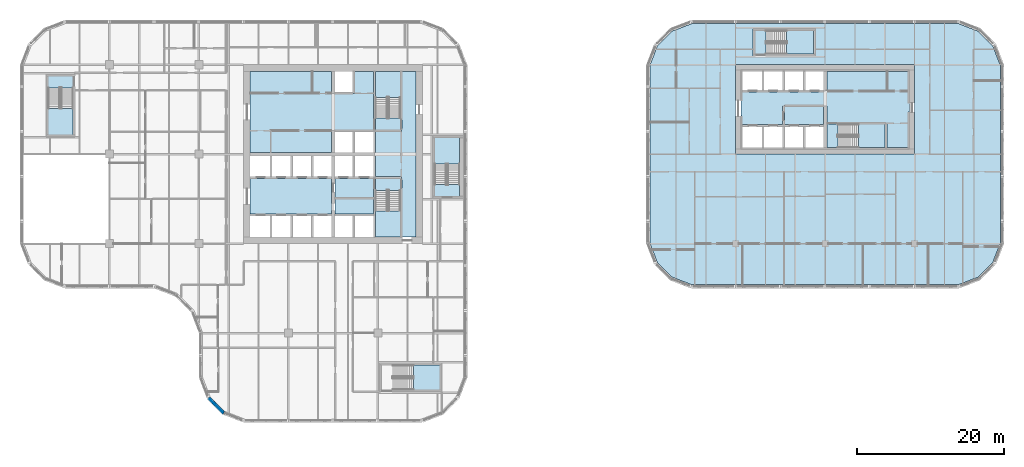
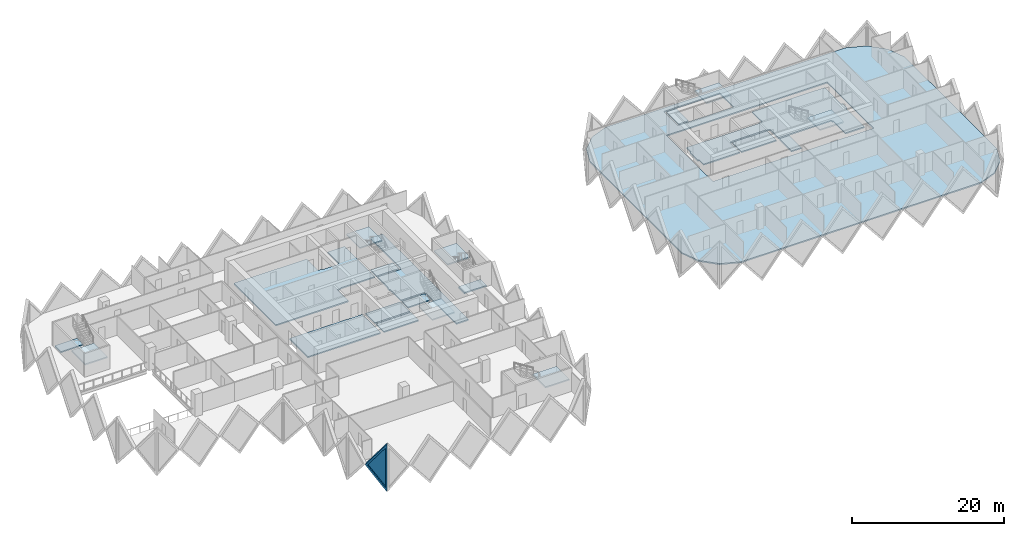
# One storey, part 3 of 19: 21 slabs, 1 plate, 1 wall, 1 opening, 7 elements without a shape of their own.
"""IFC4 building model written with IfcOpenShell, lengths in metres."""

from ifc_helpers import new_model, si_unit, direction, frame, origin, place, context, subcontext, project, spatial, polyline, outline, extrude, faceted_brep, source, transform, mapped, material, layer, layer_set, type_object, element, fill, aggregate, save


model = new_model("IFC4")

# Units and contexts
model_context = context("Model", 3, precision=1e-05, world=origin(), true_north=direction((0.0, 1.0)))
body_context = subcontext(model_context, "Body", "Model", "MODEL_VIEW")
ifc_project = project(units=[si_unit("LENGTHUNIT", "METRE"), si_unit("AREAUNIT", "SQUARE_METRE"), si_unit("VOLUMEUNIT", "CUBIC_METRE"), si_unit("PLANEANGLEUNIT", "RADIAN"), si_unit("MASSUNIT", "GRAM", prefix="KILO")], contexts=[model_context])

# Site, building, storey
site_placement = place(None, origin())
site = spatial("IfcSite", under=ifc_project, at=site_placement, CompositionType="ELEMENT")
building_placement = place(site_placement, origin())
building = spatial("IfcBuilding", under=site, at=building_placement, Name="Tessera Gate Towers", CompositionType="ELEMENT")
storey_placement = place(building_placement, frame((0.0, 0.0, 29.60009765625)))
storey = spatial("IfcBuildingStorey", under=building, at=storey_placement, Name="L06", CompositionType="ELEMENT", Elevation=29.60009765625)

# Slabs
ifc_material_1 = material(Name="Concrete C35/45", Category="concrete")
ifc_layer_1 = layer(ifc_material_1, 0.199951171875)
ifc_layer_set_1 = layer_set([ifc_layer_1], Name="COMPOSITE FLOOR 200")
slab_type_1 = type_object("IfcSlabType", Name="COMPOSITE FLOOR 200", PredefinedType="FLOOR", material=ifc_layer_set_1)
slab_1_placement = place(storey_placement, frame((0.0, 0.0, -0.2001953125)))
element("IfcSlab", 1, at=slab_1_placement, inside=storey, type_object=slab_type_1, Name="T2-L06", PredefinedType="FLOOR", context=body_context, shape_type="SweptSolid", body=[
    extrude(outline(polyline([(85.89990234375, 24.4931640625), (86.926025390625, 21.8330078125), (88.93310546875, 19.826171875), (91.593017578125, 18.800048828125), (128.0068359375, 18.800048828125), (130.6669921875, 19.826171875), (132.673828125, 21.8330078125), (133.699951171875, 24.4931640625), (133.699951171875, 48.706787109375), (132.673828125, 51.366943359375), (130.6669921875, 53.373779296875), (128.0068359375, 54.39990234375), (91.593017578125, 54.39990234375), (88.93310546875, 53.373779296875), (86.926025390625, 51.366943359375), (85.89990234375, 48.706787109375), (85.89990234375, 24.4931640625)]), holes=[polyline([(97.60009765625, 36.60009765625), (97.60009765625, 48.800048828125), (122.0, 48.800048828125), (122.0, 36.60009765625), (97.60009765625, 36.60009765625)]), polyline([(100.0, 50.0), (100.0, 53.699951171875), (108.5, 53.699951171875), (108.5, 50.0), (100.0, 50.0)])]), origin(), (0.0, 0.0, 1.0), 0.2001953125),
])
ifc_material_2 = material(Name="Concrete C35/45", Category="concrete")
ifc_layer_2 = layer(ifc_material_2, 0.199951171875)
ifc_layer_set_2 = layer_set([ifc_layer_2], Name="CORE FLOOR SLAB 200")
slab_type_2 = type_object("IfcSlabType", Name="CORE FLOOR SLAB 200", PredefinedType="FLOOR", material=ifc_layer_set_2)
slab_2_placement = place(storey_placement, frame((0.0, 0.0, -0.2001953125)))
element("IfcSlab", 2, at=slab_2_placement, inside=storey, type_object=slab_type_2, Name="L06 core floor slab", PredefinedType="FLOOR", context=body_context, shape_type="SweptSolid", body=[
    extrude(outline(polyline([(31.39990234375, 47.89990234375), (31.39990234375, 36.85009765625), (42.449951171875, 36.85009765625), (42.449951171875, 39.800048828125), (42.949951171875, 39.800048828125), (42.949951171875, 39.925048828125), (48.22509765625, 39.925048828125), (48.22509765625, 47.89990234375), (45.64990234375, 47.89990234375), (45.64990234375, 44.89990234375), (45.39990234375, 44.89990234375), (45.39990234375, 44.77490234375), (42.949951171875, 44.77490234375), (42.949951171875, 44.89990234375), (42.449951171875, 44.89990234375), (42.449951171875, 47.89990234375), (31.39990234375, 47.89990234375)])), origin(), (0.0, 0.0, 1.0), 0.2001953125),
])
slab_3_placement = place(storey_placement, frame((0.0, 0.0, -0.2001953125)))
element("IfcSlab", 3, at=slab_3_placement, inside=storey, type_object=slab_type_2, Name="L06 core floor slab", PredefinedType="FLOOR", context=body_context, shape_type="SweptSolid", body=[
    extrude(outline(polyline([(48.35009765625, 36.85009765625), (48.35009765625, 36.35009765625), (48.47509765625, 36.35009765625), (48.47509765625, 33.52490234375), (52.0, 33.52490234375), (52.0, 33.27490234375), (52.125, 33.27490234375), (52.125, 25.300048828125), (54.0, 25.300048828125), (54.0, 47.89990234375), (52.125, 47.89990234375), (52.125, 39.925048828125), (52.0, 39.925048828125), (52.0, 39.675048828125), (48.47509765625, 39.675048828125), (48.47509765625, 36.85009765625), (48.35009765625, 36.85009765625)])), origin(), (0.0, 0.0, 1.0), 0.2001953125),
])
slab_4_placement = place(storey_placement, frame((0.0, 0.0, -0.2001953125)))
element("IfcSlab", 4, at=slab_4_placement, inside=storey, type_object=slab_type_2, Name="L06 core floor slab", PredefinedType="FLOOR", context=body_context, shape_type="SweptSolid", body=[
    extrude(outline(polyline([(42.449951171875, 28.425048828125), (42.449951171875, 33.27490234375), (31.39990234375, 33.27490234375), (31.39990234375, 28.425048828125), (42.449951171875, 28.425048828125)])), origin(), (0.0, 0.0, 1.0), 0.2001953125),
])
slab_5_placement = place(storey_placement, frame((0.0, 0.0, -0.2001953125)))
element("IfcSlab", 5, at=slab_5_placement, inside=storey, type_object=slab_type_2, Name="L06 core floor slab", PredefinedType="FLOOR", context=body_context, shape_type="SweptSolid", body=[
    extrude(outline(polyline([(42.949951171875, 33.27490234375), (42.949951171875, 30.72509765625), (48.22509765625, 30.72509765625), (48.22509765625, 33.27490234375), (42.949951171875, 33.27490234375)])), origin(), (0.0, 0.0, 1.0), 0.2001953125),
])
slab_6_placement = place(storey_placement, frame((0.0, 0.0, -0.2001953125)))
element("IfcSlab", 6, at=slab_6_placement, inside=storey, type_object=slab_type_2, Name="L06 core floor slab", PredefinedType="FLOOR", context=body_context, shape_type="SweptSolid", body=[
    extrude(outline(polyline([(42.949951171875, 30.47509765625), (42.949951171875, 28.425048828125), (48.22509765625, 28.425048828125), (48.22509765625, 30.47509765625), (42.949951171875, 30.47509765625)])), origin(), (0.0, 0.0, 1.0), 0.2001953125),
])
slab_7_placement = place(storey_placement, frame((0.0, 0.0, -0.2001953125)))
element("IfcSlab", 7, at=slab_7_placement, inside=storey, type_object=slab_type_2, Name="L06 core floor slab", PredefinedType="FLOOR", context=body_context, shape_type="SweptSolid", body=[
    extrude(outline(polyline([(51.875, 31.675048828125), (51.875, 33.27490234375), (48.47509765625, 33.27490234375), (48.47509765625, 31.675048828125), (51.875, 31.675048828125)])), origin(), (0.0, 0.0, 1.0), 0.2001953125),
])
slab_8_placement = place(storey_placement, frame((0.0, 0.0, -0.2001953125)))
element("IfcSlab", 8, at=slab_8_placement, inside=storey, type_object=slab_type_2, Name="L06 core floor slab", PredefinedType="FLOOR", context=body_context, shape_type="SweptSolid", body=[
    extrude(outline(polyline([(48.47509765625, 41.52490234375), (48.47509765625, 39.925048828125), (51.875, 39.925048828125), (51.875, 41.52490234375), (48.47509765625, 41.52490234375)])), origin(), (0.0, 0.0, 1.0), 0.2001953125),
])
slab_9_placement = place(storey_placement, frame((0.0, 0.0, -0.2001953125)))
element("IfcSlab", 9, at=slab_9_placement, inside=storey, type_object=slab_type_2, Name="L06 ST3 floor landing", PredefinedType="FLOOR", context=body_context, shape_type="SweptSolid", body=[
    extrude(outline(polyline([(3.85009765625, 47.25), (3.85009765625, 45.64990234375), (7.25, 45.64990234375), (7.25, 47.25), (3.85009765625, 47.25)])), origin(), (0.0, 0.0, 1.0), 0.2001953125),
])
slab_10_placement = place(storey_placement, frame((0.0, 0.0, -0.2001953125)))
element("IfcSlab", 10, at=slab_10_placement, inside=storey, type_object=slab_type_2, Name="L06 ST5 floor landing", PredefinedType="FLOOR", context=body_context, shape_type="SweptSolid", body=[
    extrude(outline(polyline([(59.949951171875, 30.85009765625), (59.949951171875, 32.449951171875), (56.550048828125, 32.449951171875), (56.550048828125, 30.85009765625), (59.949951171875, 30.85009765625)])), origin(), (0.0, 0.0, 1.0), 0.2001953125),
])
slab_11_placement = place(storey_placement, frame((0.0, 0.0, -0.2001953125)))
element("IfcSlab", 11, at=slab_11_placement, inside=storey, type_object=slab_type_2, Name="L06 core floor slab", PredefinedType="FLOOR", context=body_context, shape_type="SweptSolid", body=[
    extrude(outline(polyline([(109.550048828125, 45.199951171875), (109.550048828125, 45.074951171875), (98.5, 45.074951171875), (98.5, 43.89990234375), (98.300048828125, 43.89990234375), (98.300048828125, 41.800048828125), (98.5, 41.800048828125), (98.5, 40.625), (104.02490234375, 40.625), (104.02490234375, 43.199951171875), (104.27490234375, 43.199951171875), (104.27490234375, 43.324951171875), (109.550048828125, 43.324951171875), (109.550048828125, 43.199951171875), (110.050048828125, 43.199951171875), (110.050048828125, 40.949951171875), (118.10009765625, 40.949951171875), (118.10009765625, 40.699951171875), (118.22509765625, 40.699951171875), (118.22509765625, 37.5), (121.10009765625, 37.5), (121.10009765625, 42.35009765625), (121.300048828125, 42.35009765625), (121.300048828125, 43.550048828125), (121.10009765625, 43.550048828125), (121.10009765625, 47.89990234375), (110.050048828125, 47.89990234375), (110.050048828125, 45.199951171875), (109.550048828125, 45.199951171875)])), origin(), (0.0, 0.0, 1.0), 0.2001953125),
])
slab_12_placement = place(storey_placement, frame((0.0, 0.0, -0.2001953125)))
element("IfcSlab", 12, at=slab_12_placement, inside=storey, type_object=slab_type_2, Name="L06 core floor slab", PredefinedType="FLOOR", context=body_context, shape_type="SweptSolid", body=[
    extrude(outline(polyline([(109.550048828125, 43.074951171875), (104.27490234375, 43.074951171875), (104.27490234375, 40.625), (109.550048828125, 40.625), (109.550048828125, 43.074951171875)])), origin(), (0.0, 0.0, 1.0), 0.2001953125),
])
slab_13_placement = place(storey_placement, frame((0.0, 0.0, -0.2001953125)))
element("IfcSlab", 13, at=slab_13_placement, inside=storey, type_object=slab_type_2, Name="L06 core floor slab", PredefinedType="FLOOR", context=body_context, shape_type="SweptSolid", body=[
    extrude(outline(polyline([(111.550048828125, 37.5), (111.550048828125, 40.699951171875), (110.050048828125, 40.699951171875), (110.050048828125, 37.5), (111.550048828125, 37.5)])), origin(), (0.0, 0.0, 1.0), 0.2001953125),
])
slab_14_placement = place(storey_placement, frame((0.0, 0.0, -0.2001953125)))
element("IfcSlab", 14, at=slab_14_placement, inside=storey, type_object=slab_type_2, Name="L06 ST7 floor landing", PredefinedType="FLOOR", context=body_context, shape_type="SweptSolid", body=[
    extrude(outline(polyline([(100.25, 50.25), (101.75, 50.25), (101.75, 53.449951171875), (100.25, 53.449951171875), (100.25, 50.25)])), origin(), (0.0, 0.0, 1.0), 0.2001953125),
])

# Stair, slab
ifc_material_3 = material(Name="Concrete C40/50", Category="concrete")
stair_type_1 = type_object("IfcStairType", Name="EXIT STAIR ST1 1600", PredefinedType="HALF_TURN_STAIR", material=ifc_material_3)
stair_1_placement = place(storey_placement, origin())
stair_1 = element("IfcStair", 15, at=stair_1_placement, inside=storey, type_object=stair_type_1, Name="L06 Protected Exit Stair ST1", PredefinedType="HALF_TURN_STAIR")
ifc_material_4 = material(Name="Concrete C40/50", Category="concrete")
ifc_layer_3 = layer(ifc_material_4, 0.199951171875)
ifc_layer_set_3 = layer_set([ifc_layer_3], Name="EXIT STAIR LANDING 200")
slab_type_3 = type_object("IfcSlabType", Name="EXIT STAIR LANDING 200", PredefinedType="LANDING", material=ifc_layer_set_3)
slab_15_placement = place(storey_placement, frame((0.0, 0.0, 1.699951171875)))
slab_15 = element("IfcSlab", 16, at=slab_15_placement, type_object=slab_type_3, Name="ST1 landing 1", PredefinedType="LANDING", context=body_context, shape_type="SweptSolid", body=[
    extrude(outline(polyline([(48.47509765625, 28.875), (48.47509765625, 25.300048828125), (51.875, 25.300048828125), (51.875, 28.875), (48.47509765625, 28.875)])), origin(), (0.0, 0.0, 1.0), 0.199951171875),
])
aggregate(stair_1, [slab_15])

ifc_material_5 = material(Name="Concrete C40/50", Category="concrete")
stair_type_2 = type_object("IfcStairType", Name="EXIT STAIR ST2 1600", PredefinedType="HALF_TURN_STAIR", material=ifc_material_5)
stair_2_placement = place(storey_placement, origin())
stair_2 = element("IfcStair", 17, at=stair_2_placement, inside=storey, type_object=stair_type_2, Name="L06 Protected Exit Stair ST2", PredefinedType="HALF_TURN_STAIR")
slab_16_placement = place(storey_placement, frame((0.0, 0.0, 1.699951171875)))
slab_16 = element("IfcSlab", 18, at=slab_16_placement, type_object=slab_type_3, Name="ST2 landing 1", PredefinedType="LANDING", context=body_context, shape_type="SweptSolid", body=[
    extrude(outline(polyline([(51.875, 44.324951171875), (51.875, 47.89990234375), (48.47509765625, 47.89990234375), (48.47509765625, 44.324951171875), (51.875, 44.324951171875)])), origin(), (0.0, 0.0, 1.0), 0.199951171875),
])
aggregate(stair_2, [slab_16])

ifc_material_6 = material(Name="Concrete C40/50", Category="concrete")
stair_type_3 = type_object("IfcStairType", Name="EXIT STAIR ST3 1600", PredefinedType="HALF_TURN_STAIR", material=ifc_material_6)
stair_3_placement = place(storey_placement, origin())
stair_3 = element("IfcStair", 19, at=stair_3_placement, inside=storey, type_object=stair_type_3, Name="L06 West Exit Stair ST3", PredefinedType="HALF_TURN_STAIR")
slab_17_placement = place(storey_placement, frame((0.0, 0.0, 1.699951171875)))
slab_17 = element("IfcSlab", 20, at=slab_17_placement, type_object=slab_type_3, Name="ST3 landing 1", PredefinedType="LANDING", context=body_context, shape_type="SweptSolid", body=[
    extrude(outline(polyline([(3.85009765625, 42.85009765625), (3.85009765625, 39.25), (7.25, 39.25), (7.25, 42.85009765625), (3.85009765625, 42.85009765625)])), origin(), (0.0, 0.0, 1.0), 0.199951171875),
])
aggregate(stair_3, [slab_17])

ifc_material_7 = material(Name="Concrete C40/50", Category="concrete")
stair_type_4 = type_object("IfcStairType", Name="EXIT STAIR ST4 1600", PredefinedType="HALF_TURN_STAIR", material=ifc_material_7)
stair_4_placement = place(storey_placement, origin())
stair_4 = element("IfcStair", 21, at=stair_4_placement, inside=storey, type_object=stair_type_4, Name="L06 South Exit Stair ST4", PredefinedType="HALF_TURN_STAIR")
slab_18_placement = place(storey_placement, frame((0.0, 0.0, 1.699951171875)))
slab_18 = element("IfcSlab", 22, at=slab_18_placement, type_object=slab_type_3, Name="ST4 landing 1", PredefinedType="LANDING", context=body_context, shape_type="SweptSolid", body=[
    extrude(outline(polyline([(53.64990234375, 4.449951171875), (57.25, 4.449951171875), (57.25, 7.85009765625), (53.64990234375, 7.85009765625), (53.64990234375, 4.449951171875)])), origin(), (0.0, 0.0, 1.0), 0.199951171875),
])
aggregate(stair_4, [slab_18])

ifc_material_8 = material(Name="Concrete C40/50", Category="concrete")
stair_type_5 = type_object("IfcStairType", Name="EXIT STAIR ST5 1600", PredefinedType="HALF_TURN_STAIR", material=ifc_material_8)
stair_5_placement = place(storey_placement, origin())
stair_5 = element("IfcStair", 23, at=stair_5_placement, inside=storey, type_object=stair_type_5, Name="L06 East Exit Stair ST5", PredefinedType="HALF_TURN_STAIR")
slab_19_placement = place(storey_placement, frame((0.0, 0.0, 1.699951171875)))
slab_19 = element("IfcSlab", 24, at=slab_19_placement, type_object=slab_type_3, Name="ST5 landing 1", PredefinedType="LANDING", context=body_context, shape_type="SweptSolid", body=[
    extrude(outline(polyline([(59.949951171875, 35.25), (59.949951171875, 38.85009765625), (56.550048828125, 38.85009765625), (56.550048828125, 35.25), (59.949951171875, 35.25)])), origin(), (0.0, 0.0, 1.0), 0.199951171875),
])
aggregate(stair_5, [slab_19])

ifc_material_9 = material(Name="Concrete C40/50", Category="concrete")
stair_type_6 = type_object("IfcStairType", Name="EXIT STAIR ST6 1500", PredefinedType="HALF_TURN_STAIR", material=ifc_material_9)
stair_6_placement = place(storey_placement, origin())
stair_6 = element("IfcStair", 25, at=stair_6_placement, inside=storey, type_object=stair_type_6, Name="L06 Protected Exit Stair ST6", PredefinedType="HALF_TURN_STAIR")
slab_20_placement = place(storey_placement, frame((0.0, 0.0, 1.699951171875)))
slab_20 = element("IfcSlab", 26, at=slab_20_placement, type_object=slab_type_3, Name="ST6 landing 1", PredefinedType="LANDING", context=body_context, shape_type="SweptSolid", body=[
    extrude(outline(polyline([(114.35009765625, 37.5), (117.97509765625, 37.5), (117.97509765625, 40.699951171875), (114.35009765625, 40.699951171875), (114.35009765625, 37.5)])), origin(), (0.0, 0.0, 1.0), 0.199951171875),
])
aggregate(stair_6, [slab_20])

ifc_material_10 = material(Name="Concrete C40/50", Category="concrete")
stair_type_7 = type_object("IfcStairType", Name="EXIT STAIR ST7 1500", PredefinedType="HALF_TURN_STAIR", material=ifc_material_10)
stair_7_placement = place(storey_placement, origin())
stair_7 = element("IfcStair", 27, at=stair_7_placement, inside=storey, type_object=stair_type_7, Name="L06 North Exit Stair ST7", PredefinedType="HALF_TURN_STAIR")
slab_21_placement = place(storey_placement, frame((0.0, 0.0, 1.699951171875)))
slab_21 = element("IfcSlab", 28, at=slab_21_placement, type_object=slab_type_3, Name="ST7 landing 1", PredefinedType="LANDING", context=body_context, shape_type="SweptSolid", body=[
    extrude(outline(polyline([(104.550048828125, 50.25), (108.25, 50.25), (108.25, 53.449951171875), (104.550048828125, 53.449951171875), (104.550048828125, 50.25)])), origin(), (0.0, 0.0, 1.0), 0.199951171875),
])
aggregate(stair_7, [slab_21])

# Wall, opening, plate
ifc_material_11 = material(Name="Precast concrete C60/75 white", Category="concrete")
ifc_layer_4 = layer(ifc_material_11, 0.5)
ifc_layer_set_4 = layer_set([ifc_layer_4], Name="TS3 corner tessera")
wall_type = type_object("IfcWallType", Name="TS3 corner tessera", PredefinedType="SOLIDWALL", material=ifc_layer_set_4)
shared_shape_1 = source(origin(), body_context, "Body", "Brep", [
    faceted_brep([(2.944091796875, -0.25, 0.0), (2.9970703125, -0.25, 0.068115234375), (2.9970703125, -0.25, 7.53173828125), (2.944091796875, -0.25, 7.599853515625), (0.0, -0.25, 3.800048828125), (0.052978515625, 0.25, 3.868408203125), (2.89111328125, 0.25, 7.53173828125), (2.89111328125, 0.25, 0.068115234375), (0.052978515625, 0.25, 3.731689453125), (2.944091796875, 0.000244140625, 0.0), (2.944091796875, 0.000244140625, 7.599853515625), (0.0, 0.0, 3.800048828125)], [[[0, 1, 2, 3, 4]], [[5, 6, 7, 8]], [[1, 0, 9]], [[10, 3, 2]], [[6, 5, 11, 4, 3, 10]], [[8, 7, 9, 0, 4, 11]], [[8, 11, 5]], [[1, 9, 7, 6, 10, 2]]]),
])
wall_placement = place(storey_placement, frame((25.7119140625, 3.393798828125, -3.800048828125), z_axis=(0.0, 0.0, 1.0), x_axis=(0.707066050402, -0.707147509625, 0.0)))
wall = element("IfcWall", 29, at=wall_placement, inside=storey, type_object=wall_type, Name="Precast corner tessera T1 TS3-0119", PredefinedType="SOLIDWALL", context=body_context, shape_type="MappedRepresentation", body=[
    mapped(shared_shape_1, transform((0.0, 0.0, 0.0), scale=1.0)),
])
shared_shape_2 = source(origin(), body_context, "Body", "SweptSolid", [
    extrude(outline(polyline([(2.744140625, 6.93359375), (0.316162109375, 3.800048828125), (2.744140625, 0.666259765625), (2.744140625, 6.93359375)])), frame((0.0, 0.260009765625, 0.0), z_axis=(0.0, -1.0, 0.0), x_axis=(1.0, 0.0, 0.0)), (0.0, 0.0, 1.0), 0.52001953125),
])
opening_placement = place(wall_placement, origin())
opening = element("IfcOpeningElement", 30, at=opening_placement, cuts=wall, Name="Opening T1-PL2-0092", PredefinedType="OPENING", context=body_context, shape_type="MappedRepresentation", body=[
    mapped(shared_shape_2, transform((0.0, 0.0, 0.0), scale=1.0)),
])
ifc_material_12 = material(Name="Low-e laminated glass", Category="glass")
ifc_layer_5 = layer(ifc_material_12, 0.06005859375)
ifc_layer_set_5 = layer_set([ifc_layer_5], Name="PL2 rhombic pane")
plate_type = type_object("IfcPlateType", Name="PL2 rhombic pane", PredefinedType="SHEET", material=ifc_layer_set_5)
shared_shape_3 = source(origin(), body_context, "Body", "SweptSolid", [
    extrude(outline(polyline([(2.744140625, 6.93359375), (0.316162109375, 3.800048828125), (2.744140625, 0.666259765625), (2.744140625, 6.93359375)])), frame((0.0, 0.030029296875, 0.0), z_axis=(0.0, -1.0, 0.0), x_axis=(1.0, 0.0, 0.0)), (0.0, 0.0, 1.0), 0.06005859375),
])
plate_placement = place(opening_placement, origin())
plate = element("IfcPlate", 31, at=plate_placement, inside=storey, type_object=plate_type, Name="Glass pane T1 PL2-0092", PredefinedType="SHEET", context=body_context, shape_type="MappedRepresentation", body=[
    mapped(shared_shape_3, transform((0.0, 0.0, 0.0), scale=1.0)),
])
fill(opening, plate)

save(model, "model.ifc")
